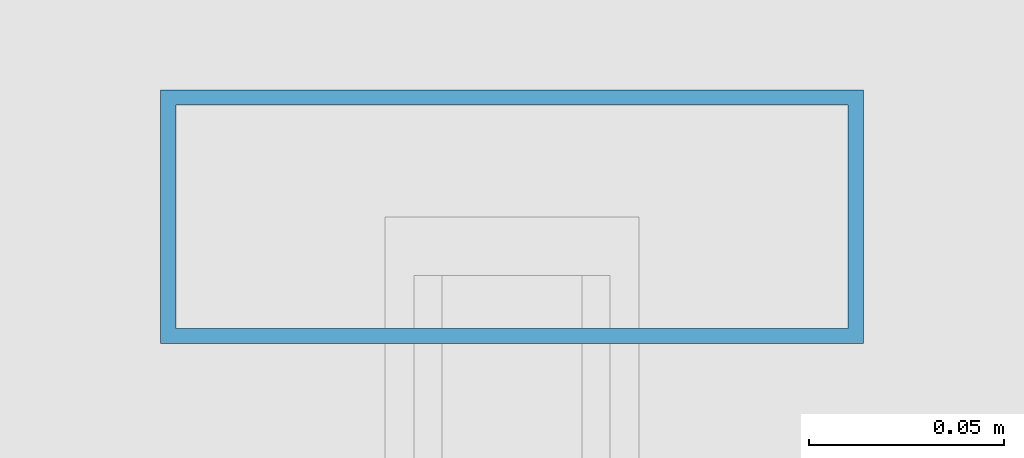
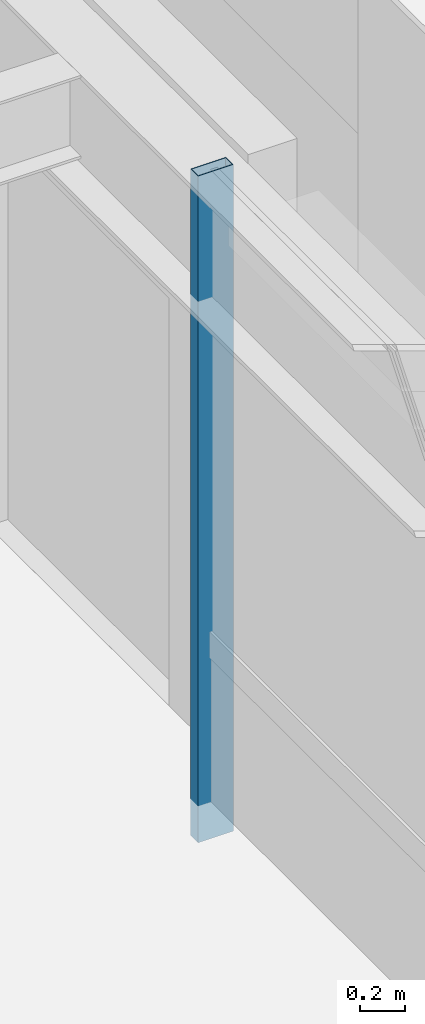
# One storey, part 14 of 31: 1 member, 1 element without a shape of its own.
"""IFC4 building model written with IfcOpenShell, lengths in metres."""

from ifc_helpers import new_model, si_unit, direction, frame, origin, origin_2d, place, context, subcontext, project, spatial, hollow_rectangle, extrude, material, layer, layer_set, material_profile, profile_set, type_object, element, aggregate, save


model = new_model("IFC4")

# Units and contexts
model_context = context("Model", 3, precision=1e-05, world=origin(), true_north=direction((0.0, 1.0)))
body_context = subcontext(model_context, "Body", "Model", "MODEL_VIEW")
ifc_project = project(units=[si_unit("LENGTHUNIT", "METRE"), si_unit("AREAUNIT", "SQUARE_METRE"), si_unit("VOLUMEUNIT", "CUBIC_METRE"), si_unit("PLANEANGLEUNIT", "RADIAN"), si_unit("MASSUNIT", "GRAM", prefix="KILO")], contexts=[model_context])

# Site, building, storey
site_placement = place(None, origin())
site = spatial("IfcSite", under=ifc_project, at=site_placement, CompositionType="ELEMENT")
building_placement = place(site_placement, origin())
building = spatial("IfcBuilding", under=site, at=building_placement, Name="Brelmoor Portico Tower", CompositionType="ELEMENT")
storey_placement = place(building_placement, frame((0.0, 0.0, 31.199951171875)))
storey = spatial("IfcBuildingStorey", under=building, at=storey_placement, Name="L07", CompositionType="ELEMENT", Elevation=31.199951171875)

# Curtain wall, member
ifc_material = material(Name="Anodised Aluminium Alloy 6063-T6", Category="aluminium")
ifc_layer = layer(ifc_material, 0.179931640625)
ifc_layer_set = layer_set([ifc_layer], Name="Anodised Aluminium Alloy 6063-T6")
curtain_wall_type = type_object("IfcCurtainWallType", Name="CW-TOWER-Z1", PredefinedType="NOTDEFINED", material=ifc_layer_set)
curtain_wall_placement = place(storey_placement, origin())
curtain_wall = element("IfcCurtainWall", 1, at=curtain_wall_placement, inside=storey, type_object=curtain_wall_type, Name="L07 Curtain Wall CW-L07-4L-2", PredefinedType="NOTDEFINED")
ifc_material_profile = material_profile(ifc_material, hollow_rectangle(XDim=0.06494140625, YDim=0.179931640625, WallThickness=0.00390625, at=origin_2d()), Name="ALU MULLION 65x180")
ifc_profile_set = profile_set([ifc_material_profile], Name="Anodised Aluminium Alloy 6063-T6")
member_type = type_object("IfcMemberType", Name="MB-CW-MULL-180", PredefinedType="MULLION", material=ifc_profile_set)
member_placement = place(storey_placement, frame((24.550048828125, 5.5, -0.199951171875), z_axis=(0.0, 0.0, 1.0), x_axis=(0.0, 1.0, 0.0)))
member = element("IfcMember", 2, at=member_placement, type_object=member_type, Name="CW-L07-4L-2 Mullion 01", PredefinedType="MULLION", context=body_context, shape_type="SweptSolid", body=[
    extrude(hollow_rectangle(XDim=0.06494140625, YDim=0.179931640625, WallThickness=0.00390625, at=origin_2d()), origin(), (0.0, 0.0, 1.0), 3.60009765625),
])
aggregate(curtain_wall, [member])

save(model, "model.ifc")
